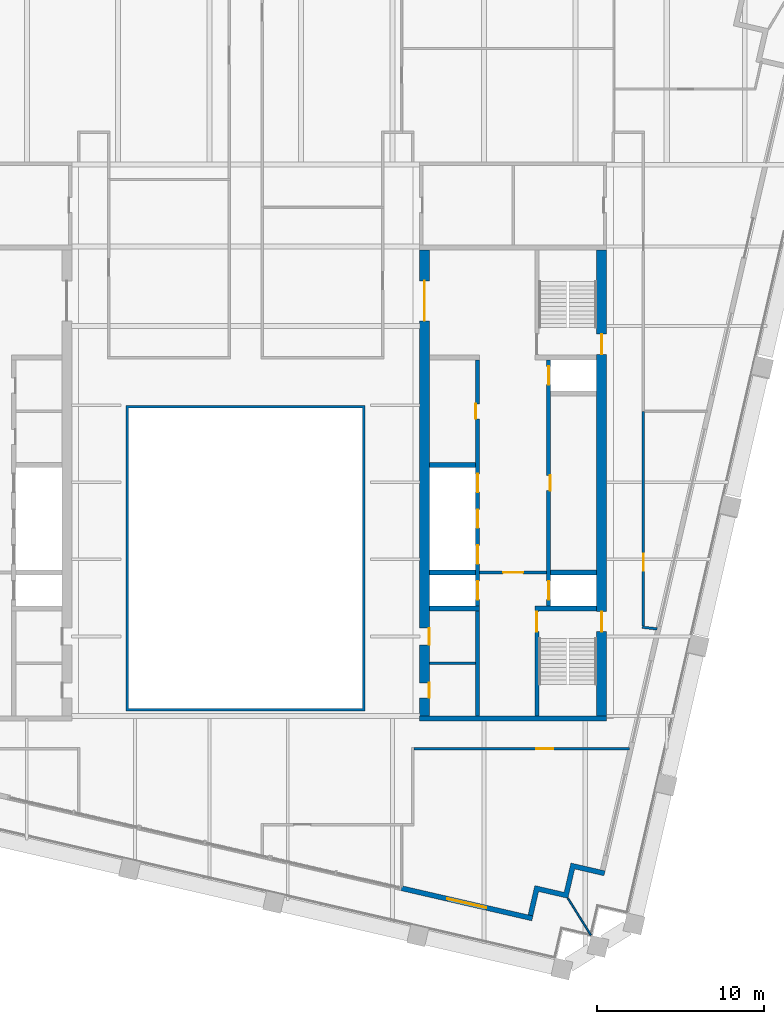
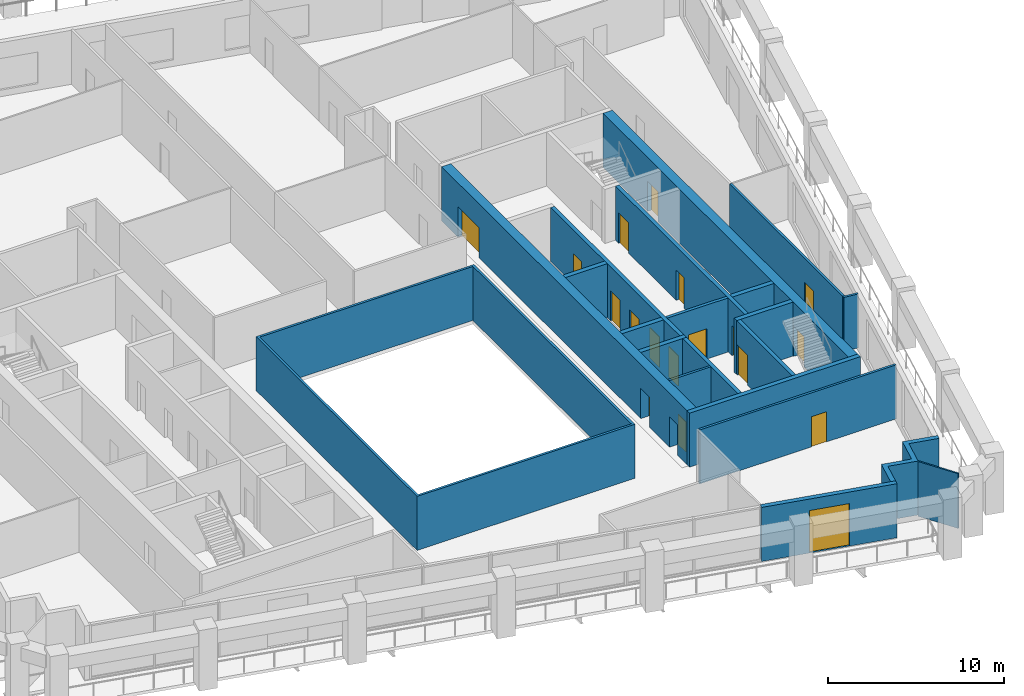
# One storey, part 6 of 11: 20 walls, 18 doors, 18 openings.
"""IFC4 building model written with IfcOpenShell, lengths in metres."""

from ifc_helpers import new_model, si_unit, direction, frame, frame_2d, origin, place, context, subcontext, project, spatial, polyline, rectangle, outline, extrude, material, layer, layer_set, type_object, element, fill, save


model = new_model("IFC4")

# Units and contexts
model_context = context("Model", 3, precision=1e-05, world=origin(), true_north=direction((0.0, 1.0)))
body_context = subcontext(model_context, "Body", "Model", "MODEL_VIEW")
ifc_project = project(units=[si_unit("LENGTHUNIT", "METRE"), si_unit("AREAUNIT", "SQUARE_METRE"), si_unit("VOLUMEUNIT", "CUBIC_METRE"), si_unit("PLANEANGLEUNIT", "RADIAN"), si_unit("MASSUNIT", "GRAM", prefix="KILO")], contexts=[model_context])

# Site, building, storey
site_placement = place(None, origin())
site = spatial("IfcSite", under=ifc_project, at=site_placement, CompositionType="ELEMENT")
building_placement = place(site_placement, origin())
building = spatial("IfcBuilding", under=site, at=building_placement, Name="Ogive Exchange Tower", CompositionType="ELEMENT")
storey_placement = place(building_placement, frame((0.0, 0.0, 293.39990234375)))
storey = spatial("IfcBuildingStorey", under=building, at=storey_placement, Name="L64", CompositionType="ELEMENT", Elevation=293.39990234375)

# Wall
ifc_material_1 = material(Name="Gypsum board partition")
ifc_layer_1 = layer(ifc_material_1, 0.14990234375)
ifc_layer_set_1 = layer_set([ifc_layer_1], Name="Core room partition 150 gypsum")
wall_type_1 = type_object("IfcWallType", Name="Core room partition 150 gypsum", PredefinedType="PARTITIONING", material=ifc_layer_set_1)
wall_1_placement = place(storey_placement, frame((11.0, 0.699951171875, 0.0), z_axis=(0.0, 0.0, 1.0), x_axis=(1.0, 0.0, 0.0)))
element("IfcWall", 1, at=wall_1_placement, inside=storey, type_object=wall_type_1, Name="E south room partition", PredefinedType="PARTITIONING", context=body_context, shape_type="SweptSolid", body=[
    extrude(rectangle(XDim=2.75, YDim=0.14990234375, at=frame_2d((1.375, 0.0))), origin(), (0.0, 0.0, 1.0), 3.75),
])

# Wall, opening, door
ifc_material_2 = material(Name="Fire partition EI 60 150")
ifc_layer_2 = layer(ifc_material_2, 0.14990234375)
ifc_layer_set_2 = layer_set([ifc_layer_2], Name="Fire partition EI 60 150")
wall_type_2 = type_object("IfcWallType", Name="Fire partition EI 60 150", PredefinedType="PARTITIONING", material=ifc_layer_set_2)
wall_2_placement = place(storey_placement, frame((22.968017578125, -4.39990234375, 0.0), z_axis=(0.0, 0.0, 1.0), x_axis=(-1.0, 0.0, 0.0)))
wall_2 = element("IfcWall", 2, at=wall_2_placement, inside=storey, type_object=wall_type_2, Name="L64-PWL-047", PredefinedType="PARTITIONING", context=body_context, shape_type="SweptSolid", body=[
    extrude(rectangle(XDim=12.89306640625, YDim=0.14990234375, at=frame_2d((6.446533203125, 0.0))), origin(), (0.0, 0.0, 1.0), 3.75),
])
opening_1_placement = place(wall_2_placement, frame((4.568115234375, 0.0, 0.0)))
opening_1 = element("IfcOpeningElement", 3, at=opening_1_placement, cuts=wall_2, Name="Opening L64-I04", PredefinedType="OPENING", context=body_context, shape_type="SweptSolid", body=[
    extrude(rectangle(XDim=1.0, YDim=2.10009765625, at=frame_2d((0.5, 1.050048828125))), frame((0.0, 0.0849609375, 0.0), z_axis=(0.0, -1.0, 0.0), x_axis=(1.0, 0.0, 0.0)), (0.0, 0.0, 1.0), 0.169921875),
])
ifc_material_3 = material(Name="Fire door FD 30S 1000 x 2100")
door_type_1 = type_object("IfcDoorType", Name="Fire door FD 30S 1000 x 2100", OperationType="NOTDEFINED", PredefinedType="DOOR", material=ifc_material_3)
door_1_placement = place(opening_1_placement, origin())
door_1 = element("IfcDoor", 4, at=door_1_placement, inside=storey, type_object=door_type_1, Name="L64-IDR-004", ObjectType="DT3", OperationType="SINGLE_SWING_LEFT", OverallHeight=2.10009765625, OverallWidth=1.0, PredefinedType="DOOR", context=body_context, shape_type="SweptSolid", body=[
    extrude(rectangle(XDim=1.0, YDim=2.10009765625, at=frame_2d((0.5, 1.050048828125))), frame((0.0, 0.02490234375, 0.0), z_axis=(0.0, -1.0, 0.0), x_axis=(1.0, 0.0, 0.0)), (0.0, 0.0, 1.0), 0.050048828125),
])
fill(opening_1, door_1)

# Wall
wall_3_placement = place(storey_placement, frame((23.72509765625, 2.868896484375, 0.0), z_axis=(0.0, 0.0, 1.0), x_axis=(0.993330469257, -0.115302119865, 0.0)))
element("IfcWall", 5, at=wall_3_placement, inside=storey, type_object=wall_type_2, Name="L64-PWL-048", PredefinedType="PARTITIONING", context=body_context, shape_type="SweptSolid", body=[
    extrude(rectangle(XDim=0.902099609375, YDim=0.14990234375, at=frame_2d((0.451171875, 0.0))), origin(), (0.0, 0.0, 1.0), 3.75),
])

# Wall, opening, door
wall_4_placement = place(storey_placement, frame((23.800048828125, 15.7900390625, 0.0), z_axis=(0.0, 0.0, 1.0), x_axis=(0.0, -1.0, 0.0)))
wall_4 = element("IfcWall", 6, at=wall_4_placement, inside=storey, type_object=wall_type_2, Name="L64-PWL-049", PredefinedType="PARTITIONING", context=body_context, shape_type="SweptSolid", body=[
    extrude(rectangle(XDim=12.85498046875, YDim=0.14990234375, at=frame_2d((6.427490234375, 0.0))), origin(), (0.0, 0.0, 1.0), 3.75),
])
opening_2_placement = place(wall_4_placement, frame((8.530029296875, 0.0, 0.0)))
opening_2 = element("IfcOpeningElement", 7, at=opening_2_placement, cuts=wall_4, Name="Opening L64-I07", PredefinedType="OPENING", context=body_context, shape_type="SweptSolid", body=[
    extrude(rectangle(XDim=1.0, YDim=2.10009765625, at=frame_2d((0.5, 1.050048828125))), frame((0.0, 0.0849609375, 0.0), z_axis=(0.0, -1.0, 0.0), x_axis=(1.0, 0.0, 0.0)), (0.0, 0.0, 1.0), 0.169921875),
])
door_2_placement = place(opening_2_placement, origin())
door_2 = element("IfcDoor", 8, at=door_2_placement, inside=storey, type_object=door_type_1, Name="L64-IDR-007", ObjectType="DT3", OperationType="SINGLE_SWING_LEFT", OverallHeight=2.10009765625, OverallWidth=1.0, PredefinedType="DOOR", context=body_context, shape_type="SweptSolid", body=[
    extrude(rectangle(XDim=1.0, YDim=2.10009765625, at=frame_2d((0.5, 1.050048828125))), frame((0.0, 0.02490234375, 0.0), z_axis=(0.0, -1.0, 0.0), x_axis=(1.0, 0.0, 0.0)), (0.0, 0.0, 1.0), 0.050048828125),
])
fill(opening_2, door_2)

# Wall
ifc_material_4 = material(Name="Fire-resisting glass in steel frame", Category="steel")
ifc_layer_3 = layer(ifc_material_4, 0.14990234375)
ifc_layer_set_3 = layer_set([ifc_layer_3], Name="Fire-rated glazed wall 150")
wall_type_3 = type_object("IfcWallType", Name="Fire-rated glazed wall 150", PredefinedType="STANDARD", material=ifc_layer_set_3)
wall_5_placement = place(storey_placement, origin())
element("IfcWall", 9, at=wall_5_placement, inside=storey, type_object=wall_type_3, Name="Nave enclosure wall", PredefinedType="STANDARD", context=body_context, shape_type="SweptSolid", body=[
    extrude(outline(polyline([(-7.14990234375, -2.14990234375), (7.14990234375, -2.14990234375), (7.14990234375, 16.14990234375), (-7.14990234375, 16.14990234375), (-7.14990234375, -2.14990234375)]), holes=[polyline([(-7.0, -2.0), (-7.0, 16.0), (7.0, 16.0), (7.0, -2.0), (-7.0, -2.0)])]), origin(), (0.0, 0.0, 1.0), 3.75),
])

# Wall, opening, door
ifc_material_5 = material(Name="Precast concrete C40/50", Category="concrete")
ifc_layer_4 = layer(ifc_material_5, 0.300048828125)
ifc_layer_set_4 = layer_set([ifc_layer_4], Name="Limestone-faced wall 300")
wall_type_4 = type_object("IfcWallType", Name="Limestone-faced wall 300", PredefinedType="STANDARD", material=ifc_layer_set_4)
wall_6_placement = place(storey_placement, frame((9.31005859375, -12.7451171875, 0.0), z_axis=(0.0, 0.0, 1.0), x_axis=(0.974372279954, -0.224941459176, 0.0)))
wall_6 = element("IfcWall", 10, at=wall_6_placement, inside=storey, type_object=wall_type_4, Name="External wall S2", PredefinedType="STANDARD", context=body_context, shape_type="SweptSolid", body=[
    extrude(rectangle(XDim=8.050048828125, YDim=0.300048828125, at=frame_2d((4.02490234375, 0.0))), origin(), (0.0, 0.0, 1.0), 3.75),
])
opening_3_placement = place(wall_6_placement, frame((2.824951171875, 0.0, 0.0)))
opening_3 = element("IfcOpeningElement", 11, at=opening_3_placement, cuts=wall_6, Name="Opening D1O", PredefinedType="OPENING", context=body_context, shape_type="SweptSolid", body=[
    extrude(rectangle(XDim=2.39990234375, YDim=2.949951171875, at=frame_2d((1.199951171875, 1.47509765625))), frame((0.0, 0.159912109375, 0.0), z_axis=(0.0, -1.0, 0.0), x_axis=(1.0, 0.0, 0.0)), (0.0, 0.0, 1.0), 0.320068359375),
])
ifc_material_6 = material(Name="Clear glass in bronze frame", Category="glass")
door_type_2 = type_object("IfcDoorType", Name="Sliding loggia door 2400 x 2950", OperationType="DOUBLE_DOOR_SLIDING", PredefinedType="DOOR", material=ifc_material_6)
door_3_placement = place(opening_3_placement, origin())
door_3 = element("IfcDoor", 12, at=door_3_placement, inside=storey, type_object=door_type_2, Name="Loggia door S05", OperationType="DOUBLE_DOOR_SLIDING", OverallHeight=2.949951171875, OverallWidth=2.39990234375, PredefinedType="DOOR", context=body_context, shape_type="SweptSolid", body=[
    extrude(rectangle(XDim=2.39990234375, YDim=2.949951171875, at=frame_2d((1.199951171875, 1.47509765625))), frame((0.0, 0.02490234375, 0.0), z_axis=(0.0, -1.0, 0.0), x_axis=(1.0, 0.0, 0.0)), (0.0, 0.0, 1.0), 0.050048828125),
])
fill(opening_3, door_3)

# Walls
wall_7_placement = place(storey_placement, origin())
element("IfcWall", 13, at=wall_7_placement, inside=storey, type_object=wall_type_4, Name="External corner wall C1", PredefinedType="STANDARD", context=body_context, shape_type="SweptSolid", body=[
    extrude(outline(polyline([(19.053955078125, -12.993408203125), (19.458740234375, -11.239501953125), (21.5048828125, -11.7119140625), (21.4375, -12.004150390625), (19.68359375, -11.599365234375), (19.27880859375, -13.353271484375), (17.52490234375, -12.9482421875), (17.1875, -14.409912109375), (16.89501953125, -14.34228515625), (17.300048828125, -12.58837890625), (19.053955078125, -12.993408203125)])), origin(), (0.0, 0.0, 1.0), 3.75),
])
ifc_material_7 = material(Name="Laminated safety glass in steel frame", Category="steel")
ifc_layer_5 = layer(ifc_material_7, 0.10009765625)
ifc_layer_set_5 = layer_set([ifc_layer_5], Name="Loggia end screen 100")
wall_type_5 = type_object("IfcWallType", Name="Loggia end screen 100", PredefinedType="STANDARD", material=ifc_layer_set_5)
wall_8_placement = place(storey_placement, frame((19.27880859375, -13.353271484375, -0.0498046875), z_axis=(0.0, 0.0, 1.0), x_axis=(0.529914407191, -0.848051131154, 0.0)))
element("IfcWall", 14, at=wall_8_placement, inside=storey, type_object=wall_type_5, Name="Loggia end screen C1", PredefinedType="STANDARD", context=body_context, shape_type="SweptSolid", body=[
    extrude(rectangle(XDim=2.59619140625, YDim=0.10009765625, at=frame_2d((1.298095703125, 0.0))), origin(), (0.0, 0.0, 1.0), 3.7998046875),
])

# Wall, opening, door
ifc_material_8 = material(Name="Concrete C70/85", Category="concrete")
ifc_layer_6 = layer(ifc_material_8, 0.199951171875)
ifc_layer_set_6 = layer_set([ifc_layer_6], Name="RC core wall 200 C70/85")
wall_type_6 = type_object("IfcWallType", Name="RC core wall 200 C70/85", PredefinedType="SHEAR", material=ifc_layer_set_6)
wall_9_placement = place(storey_placement, frame((14.0, 6.142822265625, 0.0), z_axis=(0.0, 0.0, 1.0), x_axis=(1.0, 0.0, 0.0)))
wall_9 = element("IfcWall", 15, at=wall_9_placement, inside=storey, type_object=wall_type_6, Name="E firefighting lobby wall", PredefinedType="SHEAR", context=body_context, shape_type="SweptSolid", body=[
    extrude(rectangle(XDim=4.0, YDim=0.199951171875, at=frame_2d((2.0, 0.0))), origin(), (0.0, 0.0, 1.0), 3.75),
])
opening_4_placement = place(wall_9_placement, frame((1.39990234375, 0.0, 0.0)))
opening_4 = element("IfcOpeningElement", 16, at=opening_4_placement, cuts=wall_9, Name="Opening L64-C29", PredefinedType="OPENING", context=body_context, shape_type="SweptSolid", body=[
    extrude(rectangle(XDim=1.199951171875, YDim=2.10009765625, at=frame_2d((0.60009765625, 1.050048828125))), frame((0.0, 0.10986328125, 0.0), z_axis=(0.0, -1.0, 0.0), x_axis=(1.0, 0.0, 0.0)), (0.0, 0.0, 1.0), 0.219970703125),
])
ifc_material_9 = material(Name="Steel fire door", Category="steel")
door_type_3 = type_object("IfcDoorType", Name="Firefighting lobby door FD60 1200 x 2100", OperationType="NOTDEFINED", PredefinedType="DOOR", material=ifc_material_9)
door_4_placement = place(opening_4_placement, frame((1.199951171875, 0.0, 0.0), z_axis=(0.0, 0.0, 1.0), x_axis=(-1.0, 0.0, 0.0)))
door_4 = element("IfcDoor", 17, at=door_4_placement, inside=storey, type_object=door_type_3, Name="Firefighting lobby door", ObjectType="CD3", OperationType="SINGLE_SWING_LEFT", OverallHeight=2.10009765625, OverallWidth=1.199951171875, PredefinedType="DOOR", context=body_context, shape_type="SweptSolid", body=[
    extrude(rectangle(XDim=1.199951171875, YDim=2.10009765625, at=frame_2d((0.60009765625, 1.050048828125))), frame((0.0, 0.02490234375, 0.0), z_axis=(0.0, -1.0, 0.0), x_axis=(1.0, 0.0, 0.0)), (0.0, 0.0, 1.0), 0.050048828125),
])
fill(opening_4, door_4)

ifc_layer_7 = layer(ifc_material_8, 0.25)
ifc_layer_set_7 = layer_set([ifc_layer_7], Name="RC core wall 250 C70/85")
wall_type_7 = type_object("IfcWallType", Name="RC core wall 250 C70/85", PredefinedType="SHEAR", material=ifc_layer_set_7)
wall_10_placement = place(storey_placement, frame((17.425048828125, -2.449951171875, 0.0), z_axis=(0.0, 0.0, 1.0), x_axis=(0.0, 1.0, 0.0)))
wall_10 = element("IfcWall", 18, at=wall_10_placement, inside=storey, type_object=wall_type_7, Name="E stair S front wall", PredefinedType="SHEAR", context=body_context, shape_type="SweptSolid", body=[
    extrude(rectangle(XDim=6.300048828125, YDim=0.25, at=frame_2d((3.14990234375, 0.0))), origin(), (0.0, 0.0, 1.0), 3.75),
])
opening_5_placement = place(wall_10_placement, frame((5.050048828125, 0.0, 0.0)))
opening_5 = element("IfcOpeningElement", 19, at=opening_5_placement, cuts=wall_10, Name="Opening L64-C31", PredefinedType="OPENING", context=body_context, shape_type="SweptSolid", body=[
    extrude(rectangle(XDim=1.199951171875, YDim=2.10009765625, at=frame_2d((0.60009765625, 1.050048828125))), frame((0.0, 0.135009765625, 0.0), z_axis=(0.0, -1.0, 0.0), x_axis=(1.0, 0.0, 0.0)), (0.0, 0.0, 1.0), 0.27001953125),
])
door_type_4 = type_object("IfcDoorType", Name="Stair door FD90 1200 x 2100", OperationType="NOTDEFINED", PredefinedType="DOOR", material=ifc_material_9)
door_5_placement = place(opening_5_placement, frame((1.199951171875, 0.0, 0.0), z_axis=(0.0, 0.0, 1.0), x_axis=(-1.0, 0.0, 0.0)))
door_5 = element("IfcDoor", 20, at=door_5_placement, inside=storey, type_object=door_type_4, Name="Stair door", ObjectType="CD5", OperationType="SINGLE_SWING_RIGHT", OverallHeight=2.10009765625, OverallWidth=1.199951171875, PredefinedType="DOOR", context=body_context, shape_type="SweptSolid", body=[
    extrude(rectangle(XDim=1.199951171875, YDim=2.10009765625, at=frame_2d((0.60009765625, 1.050048828125))), frame((0.0, 0.02490234375, 0.0), z_axis=(0.0, -1.0, 0.0), x_axis=(1.0, 0.0, 0.0)), (0.0, 0.0, 1.0), 0.050048828125),
])
fill(opening_5, door_5)

# Wall, openings, doors
wall_11_placement = place(storey_placement, frame((18.125, 4.14990234375, 0.0), z_axis=(0.0, 0.0, 1.0), x_axis=(0.0, 1.0, 0.0)))
wall_11 = element("IfcWall", 21, at=wall_11_placement, inside=storey, type_object=wall_type_7, Name="E row A front wall", PredefinedType="SHEAR", context=body_context, shape_type="SweptSolid", body=[
    extrude(rectangle(XDim=14.7001953125, YDim=0.25, at=frame_2d((7.35009765625, 0.0))), origin(), (0.0, 0.0, 1.0), 3.75),
])
opening_6_placement = place(wall_11_placement, frame((6.89990234375, 0.0, 0.0)))
opening_6 = element("IfcOpeningElement", 22, at=opening_6_placement, cuts=wall_11, Name="Opening L64-C21", PredefinedType="OPENING", context=body_context, shape_type="SweptSolid", body=[
    extrude(rectangle(XDim=0.89990234375, YDim=2.10009765625, at=frame_2d((0.449951171875, 1.050048828125))), frame((0.0, 0.135009765625, 0.0), z_axis=(0.0, -1.0, 0.0), x_axis=(1.0, 0.0, 0.0)), (0.0, 0.0, 1.0), 0.27001953125),
])
opening_7_placement = place(wall_11_placement, frame((0.371337890625, 0.0, 0.0)))
opening_7 = element("IfcOpeningElement", 23, at=opening_7_placement, cuts=wall_11, Name="Opening L64-C22", PredefinedType="OPENING", context=body_context, shape_type="SweptSolid", body=[
    extrude(rectangle(XDim=1.10009765625, YDim=2.10009765625, at=frame_2d((0.550048828125, 1.050048828125))), frame((0.0, 0.135009765625, 0.0), z_axis=(0.0, -1.0, 0.0), x_axis=(1.0, 0.0, 0.0)), (0.0, 0.0, 1.0), 0.27001953125),
])
opening_8_placement = place(wall_11_placement, frame((13.228515625, 0.0, 0.0)))
opening_8 = element("IfcOpeningElement", 24, at=opening_8_placement, cuts=wall_11, Name="Opening L64-C23", PredefinedType="OPENING", context=body_context, shape_type="SweptSolid", body=[
    extrude(rectangle(XDim=1.10009765625, YDim=2.10009765625, at=frame_2d((0.550048828125, 1.050048828125))), frame((0.0, 0.135009765625, 0.0), z_axis=(0.0, -1.0, 0.0), x_axis=(1.0, 0.0, 0.0)), (0.0, 0.0, 1.0), 0.27001953125),
])
ifc_material_10 = material(Name="Stainless steel", Category="steel")
door_type_5 = type_object("IfcDoorType", Name="Lift landing door FD90 1100 x 2100", OperationType="SLIDING_TO_LEFT", PredefinedType="DOOR", material=ifc_material_10)
door_6_placement = place(opening_7_placement, origin())
door_6 = element("IfcDoor", 25, at=door_6_placement, inside=storey, type_object=door_type_5, Name="Lift landing door FF2", ObjectType="LD", OperationType="SLIDING_TO_LEFT", OverallHeight=2.10009765625, OverallWidth=1.10009765625, PredefinedType="DOOR", context=body_context, shape_type="SweptSolid", body=[
    extrude(rectangle(XDim=1.10009765625, YDim=2.10009765625, at=frame_2d((0.550048828125, 1.050048828125))), frame((0.0, 0.02490234375, 0.0), z_axis=(0.0, -1.0, 0.0), x_axis=(1.0, 0.0, 0.0)), (0.0, 0.0, 1.0), 0.050048828125),
])
fill(opening_7, door_6)
door_7_placement = place(opening_8_placement, origin())
door_7 = element("IfcDoor", 26, at=door_7_placement, inside=storey, type_object=door_type_5, Name="Lift landing door E-SH2", ObjectType="LD", OperationType="SLIDING_TO_LEFT", OverallHeight=2.10009765625, OverallWidth=1.10009765625, PredefinedType="DOOR", context=body_context, shape_type="SweptSolid", body=[
    extrude(rectangle(XDim=1.10009765625, YDim=2.10009765625, at=frame_2d((0.550048828125, 1.050048828125))), frame((0.0, 0.02490234375, 0.0), z_axis=(0.0, -1.0, 0.0), x_axis=(1.0, 0.0, 0.0)), (0.0, 0.0, 1.0), 0.050048828125),
])
fill(opening_8, door_7)
door_type_6 = type_object("IfcDoorType", Name="Riser door FD60 900 x 2100", OperationType="NOTDEFINED", PredefinedType="DOOR", material=ifc_material_9)
door_8_placement = place(opening_6_placement, frame((0.89990234375, -0.2001953125, 0.0), z_axis=(0.0, 0.0, 1.0), x_axis=(-1.0, 0.0, 0.0)))
door_8 = element("IfcDoor", 27, at=door_8_placement, inside=storey, type_object=door_type_6, Name="Riser door", ObjectType="CD2", OperationType="SINGLE_SWING_LEFT", OverallHeight=2.10009765625, OverallWidth=0.89990234375, PredefinedType="DOOR", context=body_context, shape_type="SweptSolid", body=[
    extrude(rectangle(XDim=0.89990234375, YDim=2.10009765625, at=frame_2d((0.449951171875, 1.050048828125))), frame((0.0, -0.0751953125, 0.0), z_axis=(0.0, -1.0, 0.0), x_axis=(1.0, 0.0, 0.0)), (0.0, 0.0, 1.0), 0.050048828125),
])
fill(opening_6, door_8)

wall_12_placement = place(storey_placement, frame((13.875, -2.449951171875, 0.0), z_axis=(0.0, 0.0, 1.0), x_axis=(0.0, 1.0, 0.0)))
wall_12 = element("IfcWall", 28, at=wall_12_placement, inside=storey, type_object=wall_type_7, Name="E row B front wall", PredefinedType="SHEAR", context=body_context, shape_type="SweptSolid", body=[
    extrude(rectangle(XDim=21.300048828125, YDim=0.25, at=frame_2d((10.64990234375, 0.0))), origin(), (0.0, 0.0, 1.0), 3.75),
])
opening_9_placement = place(wall_12_placement, frame((17.78564453125, 0.0, 0.0)))
opening_9 = element("IfcOpeningElement", 29, at=opening_9_placement, cuts=wall_12, Name="Opening L64-C24", PredefinedType="OPENING", context=body_context, shape_type="SweptSolid", body=[
    extrude(rectangle(XDim=0.89990234375, YDim=2.10009765625, at=frame_2d((0.449951171875, 1.050048828125))), frame((0.0, 0.135009765625, 0.0), z_axis=(0.0, -1.0, 0.0), x_axis=(1.0, 0.0, 0.0)), (0.0, 0.0, 1.0), 0.27001953125),
])
opening_10_placement = place(wall_12_placement, frame((6.971435546875, 0.0, 0.0)))
opening_10 = element("IfcOpeningElement", 30, at=opening_10_placement, cuts=wall_12, Name="Opening L64-C25", PredefinedType="OPENING", context=body_context, shape_type="SweptSolid", body=[
    extrude(rectangle(XDim=1.10009765625, YDim=2.10009765625, at=frame_2d((0.550048828125, 1.050048828125))), frame((0.0, 0.135009765625, 0.0), z_axis=(0.0, -1.0, 0.0), x_axis=(1.0, 0.0, 0.0)), (0.0, 0.0, 1.0), 0.27001953125),
])
opening_11_placement = place(wall_12_placement, frame((9.1142578125, 0.0, 0.0)))
opening_11 = element("IfcOpeningElement", 31, at=opening_11_placement, cuts=wall_12, Name="Opening L64-C26", PredefinedType="OPENING", context=body_context, shape_type="SweptSolid", body=[
    extrude(rectangle(XDim=1.10009765625, YDim=2.10009765625, at=frame_2d((0.550048828125, 1.050048828125))), frame((0.0, 0.135009765625, 0.0), z_axis=(0.0, -1.0, 0.0), x_axis=(1.0, 0.0, 0.0)), (0.0, 0.0, 1.0), 0.27001953125),
])
opening_12_placement = place(wall_12_placement, frame((11.257080078125, 0.0, 0.0)))
opening_12 = element("IfcOpeningElement", 32, at=opening_12_placement, cuts=wall_12, Name="Opening L64-C27", PredefinedType="OPENING", context=body_context, shape_type="SweptSolid", body=[
    extrude(rectangle(XDim=1.10009765625, YDim=2.10009765625, at=frame_2d((0.550048828125, 1.050048828125))), frame((0.0, 0.135009765625, 0.0), z_axis=(0.0, -1.0, 0.0), x_axis=(1.0, 0.0, 0.0)), (0.0, 0.0, 1.0), 0.27001953125),
])
opening_13_placement = place(wall_12_placement, frame((13.39990234375, 0.0, 0.0)))
opening_13 = element("IfcOpeningElement", 33, at=opening_13_placement, cuts=wall_12, Name="Opening L64-C28", PredefinedType="OPENING", context=body_context, shape_type="SweptSolid", body=[
    extrude(rectangle(XDim=1.10009765625, YDim=2.10009765625, at=frame_2d((0.550048828125, 1.050048828125))), frame((0.0, 0.135009765625, 0.0), z_axis=(0.0, -1.0, 0.0), x_axis=(1.0, 0.0, 0.0)), (0.0, 0.0, 1.0), 0.27001953125),
])
door_9_placement = place(opening_10_placement, origin())
door_9 = element("IfcDoor", 34, at=door_9_placement, inside=storey, type_object=door_type_5, Name="Lift landing door SV2", ObjectType="LD", OperationType="SLIDING_TO_LEFT", OverallHeight=2.10009765625, OverallWidth=1.10009765625, PredefinedType="DOOR", context=body_context, shape_type="SweptSolid", body=[
    extrude(rectangle(XDim=1.10009765625, YDim=2.10009765625, at=frame_2d((0.550048828125, 1.050048828125))), frame((0.0, 0.02490234375, 0.0), z_axis=(0.0, -1.0, 0.0), x_axis=(1.0, 0.0, 0.0)), (0.0, 0.0, 1.0), 0.050048828125),
])
fill(opening_10, door_9)
door_10_placement = place(opening_11_placement, origin())
door_10 = element("IfcDoor", 35, at=door_10_placement, inside=storey, type_object=door_type_5, Name="Lift landing door E-M1", ObjectType="LD", OperationType="SLIDING_TO_LEFT", OverallHeight=2.10009765625, OverallWidth=1.10009765625, PredefinedType="DOOR", context=body_context, shape_type="SweptSolid", body=[
    extrude(rectangle(XDim=1.10009765625, YDim=2.10009765625, at=frame_2d((0.550048828125, 1.050048828125))), frame((0.0, 0.02490234375, 0.0), z_axis=(0.0, -1.0, 0.0), x_axis=(1.0, 0.0, 0.0)), (0.0, 0.0, 1.0), 0.050048828125),
])
fill(opening_11, door_10)
door_11_placement = place(opening_12_placement, origin())
door_11 = element("IfcDoor", 36, at=door_11_placement, inside=storey, type_object=door_type_5, Name="Lift landing door E-M2", ObjectType="LD", OperationType="SLIDING_TO_LEFT", OverallHeight=2.10009765625, OverallWidth=1.10009765625, PredefinedType="DOOR", context=body_context, shape_type="SweptSolid", body=[
    extrude(rectangle(XDim=1.10009765625, YDim=2.10009765625, at=frame_2d((0.550048828125, 1.050048828125))), frame((0.0, 0.02490234375, 0.0), z_axis=(0.0, -1.0, 0.0), x_axis=(1.0, 0.0, 0.0)), (0.0, 0.0, 1.0), 0.050048828125),
])
fill(opening_12, door_11)
door_12_placement = place(opening_13_placement, origin())
door_12 = element("IfcDoor", 37, at=door_12_placement, inside=storey, type_object=door_type_5, Name="Lift landing door E-M3", ObjectType="LD", OperationType="SLIDING_TO_LEFT", OverallHeight=2.10009765625, OverallWidth=1.10009765625, PredefinedType="DOOR", context=body_context, shape_type="SweptSolid", body=[
    extrude(rectangle(XDim=1.10009765625, YDim=2.10009765625, at=frame_2d((0.550048828125, 1.050048828125))), frame((0.0, 0.02490234375, 0.0), z_axis=(0.0, -1.0, 0.0), x_axis=(1.0, 0.0, 0.0)), (0.0, 0.0, 1.0), 0.050048828125),
])
fill(opening_13, door_12)
door_13_placement = place(opening_9_placement, origin())
door_13 = element("IfcDoor", 38, at=door_13_placement, inside=storey, type_object=door_type_6, Name="Riser door", ObjectType="CD2", OperationType="SINGLE_SWING_LEFT", OverallHeight=2.10009765625, OverallWidth=0.89990234375, PredefinedType="DOOR", context=body_context, shape_type="SweptSolid", body=[
    extrude(rectangle(XDim=0.89990234375, YDim=2.10009765625, at=frame_2d((0.449951171875, 1.050048828125))), frame((0.0, 0.125, 0.0), z_axis=(0.0, -1.0, 0.0), x_axis=(1.0, 0.0, 0.0)), (0.0, 0.0, 1.0), 0.050048828125),
])
fill(opening_9, door_13)

# Walls
ifc_layer_8 = layer(ifc_material_8, 0.300048828125)
ifc_layer_set_8 = layer_set([ifc_layer_8], Name="RC core wall 300 C70/85")
wall_type_8 = type_object("IfcWallType", Name="RC core wall 300 C70/85", PredefinedType="SHEAR", material=ifc_layer_set_8)
wall_13_placement = place(storey_placement, frame((10.39990234375, -2.60009765625, 0.0), z_axis=(0.0, 0.0, 1.0), x_axis=(1.0, 0.0, 0.0)))
element("IfcWall", 39, at=wall_13_placement, inside=storey, type_object=wall_type_8, Name="E south end wall", PredefinedType="SHEAR", context=body_context, shape_type="SweptSolid", body=[
    extrude(rectangle(XDim=11.2001953125, YDim=0.300048828125, at=frame_2d((5.60009765625, 0.0))), origin(), (0.0, 0.0, 1.0), 3.75),
])
wall_14_placement = place(storey_placement, frame((17.300048828125, 4.0, 0.0), z_axis=(0.0, 0.0, 1.0), x_axis=(1.0, 0.0, 0.0)))
element("IfcWall", 40, at=wall_14_placement, inside=storey, type_object=wall_type_8, Name="E stair S north wall", PredefinedType="SHEAR", context=body_context, shape_type="SweptSolid", body=[
    extrude(rectangle(XDim=3.699951171875, YDim=0.300048828125, at=frame_2d((1.85009765625, 0.0))), origin(), (0.0, 0.0, 1.0), 3.75),
])
wall_15_placement = place(storey_placement, frame((18.25, 6.142822265625, 0.0), z_axis=(0.0, 0.0, 1.0), x_axis=(1.0, 0.0, 0.0)))
element("IfcWall", 41, at=wall_15_placement, inside=storey, type_object=wall_type_8, Name="E row A divider 1", PredefinedType="SHEAR", context=body_context, shape_type="SweptSolid", body=[
    extrude(rectangle(XDim=2.75, YDim=0.300048828125, at=frame_2d((1.375, 0.0))), origin(), (0.0, 0.0, 1.0), 3.75),
])
wall_16_placement = place(storey_placement, frame((11.0, 4.0, 0.0), z_axis=(0.0, 0.0, 1.0), x_axis=(1.0, 0.0, 0.0)))
element("IfcWall", 42, at=wall_16_placement, inside=storey, type_object=wall_type_8, Name="E row B divider 0", PredefinedType="SHEAR", context=body_context, shape_type="SweptSolid", body=[
    extrude(rectangle(XDim=3.0, YDim=0.300048828125, at=frame_2d((1.5, 0.0))), origin(), (0.0, 0.0, 1.0), 3.75),
])
for number, where, z_axis, x_axis, name in (
    (43, (11.0, 6.142822265625, 0.0), (0.0, 0.0, 1.0), (1.0, 0.0, 0.0), "E row B divider 1"),
    (44, (11.0, 12.5712890625, 0.0), (0.0, 0.0, 1.0), (1.0, 0.0, 0.0), "E row B divider 4"),
):
    element("IfcWall", number, at=place(storey_placement, frame(where, z_axis=z_axis, x_axis=x_axis)), inside=storey, type_object=wall_type_8, Name=name, PredefinedType="SHEAR", context=body_context, shape_type="SweptSolid", body=[
        extrude(rectangle(XDim=2.75, YDim=0.300048828125, at=frame_2d((1.375, 0.0))), origin(), (0.0, 0.0, 1.0), 3.75),
    ])

# Wall, openings, doors
ifc_layer_9 = layer(ifc_material_8, 0.60009765625)
ifc_layer_set_9 = layer_set([ifc_layer_9], Name="RC core wall 600 C70/85")
wall_type_9 = type_object("IfcWallType", Name="RC core wall 600 C70/85", PredefinedType="SHEAR", material=ifc_layer_set_9)
wall_17_placement = place(storey_placement, frame((21.300048828125, -2.449951171875, 0.0), z_axis=(0.0, 0.0, 1.0), x_axis=(0.0, 1.0, 0.0)))
wall_17 = element("IfcWall", 45, at=wall_17_placement, inside=storey, type_object=wall_type_9, Name="E outer wall", PredefinedType="SHEAR", context=body_context, shape_type="SweptSolid", body=[
    extrude(rectangle(XDim=27.89990234375, YDim=0.60009765625, at=frame_2d((13.949951171875, 0.0))), origin(), (0.0, 0.0, 1.0), 3.75),
])
opening_14_placement = place(wall_17_placement, frame((5.050048828125, 0.0, 0.0)))
opening_14 = element("IfcOpeningElement", 46, at=opening_14_placement, cuts=wall_17, Name="Opening L64-C32", PredefinedType="OPENING", context=body_context, shape_type="SweptSolid", body=[
    extrude(rectangle(XDim=1.199951171875, YDim=2.10009765625, at=frame_2d((0.60009765625, 1.050048828125))), frame((0.0, 0.31005859375, 0.0), z_axis=(0.0, -1.0, 0.0), x_axis=(1.0, 0.0, 0.0)), (0.0, 0.0, 1.0), 0.6201171875),
])
opening_15_placement = place(wall_17_placement, frame((21.64990234375, 0.0, 0.0)))
opening_15 = element("IfcOpeningElement", 47, at=opening_15_placement, cuts=wall_17, Name="Opening L64-C34", PredefinedType="OPENING", context=body_context, shape_type="SweptSolid", body=[
    extrude(rectangle(XDim=1.199951171875, YDim=2.10009765625, at=frame_2d((0.60009765625, 1.050048828125))), frame((0.0, 0.31005859375, 0.0), z_axis=(0.0, -1.0, 0.0), x_axis=(1.0, 0.0, 0.0)), (0.0, 0.0, 1.0), 0.6201171875),
])
door_14_placement = place(opening_14_placement, frame((1.199951171875, 0.0, 0.0), z_axis=(0.0, 0.0, 1.0), x_axis=(-1.0, 0.0, 0.0)))
door_14 = element("IfcDoor", 48, at=door_14_placement, inside=storey, type_object=door_type_4, Name="Stair door", ObjectType="CD5", OperationType="SINGLE_SWING_RIGHT", OverallHeight=2.10009765625, OverallWidth=1.199951171875, PredefinedType="DOOR", context=body_context, shape_type="SweptSolid", body=[
    extrude(rectangle(XDim=1.199951171875, YDim=2.10009765625, at=frame_2d((0.60009765625, 1.050048828125))), frame((0.0, 0.02490234375, 0.0), z_axis=(0.0, -1.0, 0.0), x_axis=(1.0, 0.0, 0.0)), (0.0, 0.0, 1.0), 0.050048828125),
])
fill(opening_14, door_14)
door_15_placement = place(opening_15_placement, frame((1.199951171875, 0.0, 0.0), z_axis=(0.0, 0.0, 1.0), x_axis=(-1.0, 0.0, 0.0)))
door_15 = element("IfcDoor", 49, at=door_15_placement, inside=storey, type_object=door_type_4, Name="Stair door", ObjectType="CD5", OperationType="SINGLE_SWING_LEFT", OverallHeight=2.10009765625, OverallWidth=1.199951171875, PredefinedType="DOOR", context=body_context, shape_type="SweptSolid", body=[
    extrude(rectangle(XDim=1.199951171875, YDim=2.10009765625, at=frame_2d((0.60009765625, 1.050048828125))), frame((0.0, 0.02490234375, 0.0), z_axis=(0.0, -1.0, 0.0), x_axis=(1.0, 0.0, 0.0)), (0.0, 0.0, 1.0), 0.050048828125),
])
fill(opening_15, door_15)

wall_18_placement = place(storey_placement, frame((10.699951171875, -2.449951171875, 0.0), z_axis=(0.0, 0.0, 1.0), x_axis=(0.0, 1.0, 0.0)))
wall_18 = element("IfcWall", 50, at=wall_18_placement, inside=storey, type_object=wall_type_9, Name="E inner wall", PredefinedType="SHEAR", context=body_context, shape_type="SweptSolid", body=[
    extrude(rectangle(XDim=27.89990234375, YDim=0.60009765625, at=frame_2d((13.949951171875, 0.0))), origin(), (0.0, 0.0, 1.0), 3.75),
])
opening_16_placement = place(wall_18_placement, frame((23.64990234375, 0.0, 0.0)))
opening_16 = element("IfcOpeningElement", 51, at=opening_16_placement, cuts=wall_18, Name="Opening L64-C30", PredefinedType="OPENING", context=body_context, shape_type="SweptSolid", body=[
    extrude(rectangle(XDim=2.39990234375, YDim=2.10009765625, at=frame_2d((1.199951171875, 1.050048828125))), frame((0.0, 0.31005859375, 0.0), z_axis=(0.0, -1.0, 0.0), x_axis=(1.0, 0.0, 0.0)), (0.0, 0.0, 1.0), 0.6201171875),
])
opening_17_placement = place(wall_18_placement, frame((1.08740234375, 0.0, 0.0)))
opening_17 = element("IfcOpeningElement", 52, at=opening_17_placement, cuts=wall_18, Name="Opening L64-C35", PredefinedType="OPENING", context=body_context, shape_type="SweptSolid", body=[
    extrude(rectangle(XDim=0.89990234375, YDim=2.10009765625, at=frame_2d((0.449951171875, 1.050048828125))), frame((0.0, 0.31005859375, 0.0), z_axis=(0.0, -1.0, 0.0), x_axis=(1.0, 0.0, 0.0)), (0.0, 0.0, 1.0), 0.6201171875),
])
opening_18_placement = place(wall_18_placement, frame((4.262451171875, 0.0, 0.0)))
opening_18 = element("IfcOpeningElement", 53, at=opening_18_placement, cuts=wall_18, Name="Opening L64-C36", PredefinedType="OPENING", context=body_context, shape_type="SweptSolid", body=[
    extrude(rectangle(XDim=1.0, YDim=2.10009765625, at=frame_2d((0.5, 1.050048828125))), frame((0.0, 0.31005859375, 0.0), z_axis=(0.0, -1.0, 0.0), x_axis=(1.0, 0.0, 0.0)), (0.0, 0.0, 1.0), 0.6201171875),
])
ifc_material_11 = material(Name="Timber fire door", Category="wood")
door_type_7 = type_object("IfcDoorType", Name="Accessible WC door FD30S 1000 x 2100", OperationType="NOTDEFINED", PredefinedType="DOOR", material=ifc_material_11)
door_16_placement = place(opening_18_placement, origin())
door_16 = element("IfcDoor", 54, at=door_16_placement, inside=storey, type_object=door_type_7, Name="Accessible WC door", ObjectType="CD7", OperationType="SINGLE_SWING_RIGHT", OverallHeight=2.10009765625, OverallWidth=1.0, PredefinedType="DOOR", context=body_context, shape_type="SweptSolid", body=[
    extrude(rectangle(XDim=1.0, YDim=2.10009765625, at=frame_2d((0.5, 1.050048828125))), frame((0.0, -0.25, 0.0), z_axis=(0.0, -1.0, 0.0), x_axis=(1.0, 0.0, 0.0)), (0.0, 0.0, 1.0), 0.050048828125),
])
fill(opening_18, door_16)
door_type_8 = type_object("IfcDoorType", Name="Core room door FD30S 900 x 2100", OperationType="NOTDEFINED", PredefinedType="DOOR", material=ifc_material_11)
door_17_placement = place(opening_17_placement, origin())
door_17 = element("IfcDoor", 55, at=door_17_placement, inside=storey, type_object=door_type_8, Name="Core room door", ObjectType="CD6", OperationType="SINGLE_SWING_RIGHT", OverallHeight=2.10009765625, OverallWidth=0.89990234375, PredefinedType="DOOR", context=body_context, shape_type="SweptSolid", body=[
    extrude(rectangle(XDim=0.89990234375, YDim=2.10009765625, at=frame_2d((0.449951171875, 1.050048828125))), frame((0.0, -0.25, 0.0), z_axis=(0.0, -1.0, 0.0), x_axis=(1.0, 0.0, 0.0)), (0.0, 0.0, 1.0), 0.050048828125),
])
fill(opening_17, door_17)
ifc_material_12 = material(Name="Glazed steel fire door", Category="steel")
door_type_9 = type_object("IfcDoorType", Name="Lift lobby double door FD60 2400 x 2100", OperationType="DOUBLE_DOOR_SINGLE_SWING", PredefinedType="DOOR", material=ifc_material_12)
door_18_placement = place(opening_16_placement, origin())
door_18 = element("IfcDoor", 56, at=door_18_placement, inside=storey, type_object=door_type_9, Name="Lift lobby double door", ObjectType="CD4", OperationType="DOUBLE_DOOR_SINGLE_SWING", OverallHeight=2.10009765625, OverallWidth=2.39990234375, PredefinedType="DOOR", context=body_context, shape_type="SweptSolid", body=[
    extrude(rectangle(XDim=2.39990234375, YDim=2.10009765625, at=frame_2d((1.199951171875, 1.050048828125))), frame((0.0, 0.02490234375, 0.0), z_axis=(0.0, -1.0, 0.0), x_axis=(1.0, 0.0, 0.0)), (0.0, 0.0, 1.0), 0.050048828125),
])
fill(opening_16, door_18)

save(model, "model.ifc")
